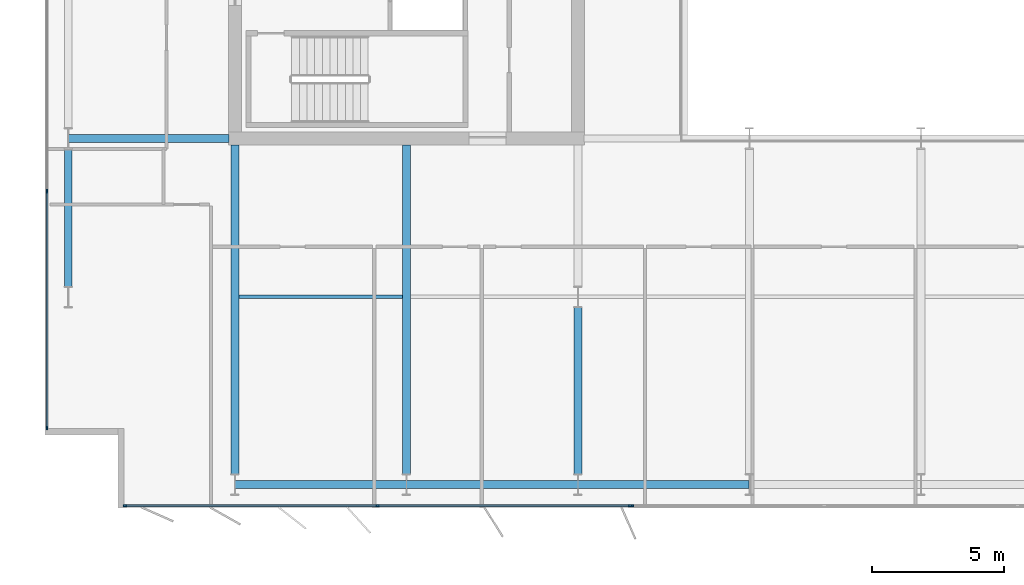
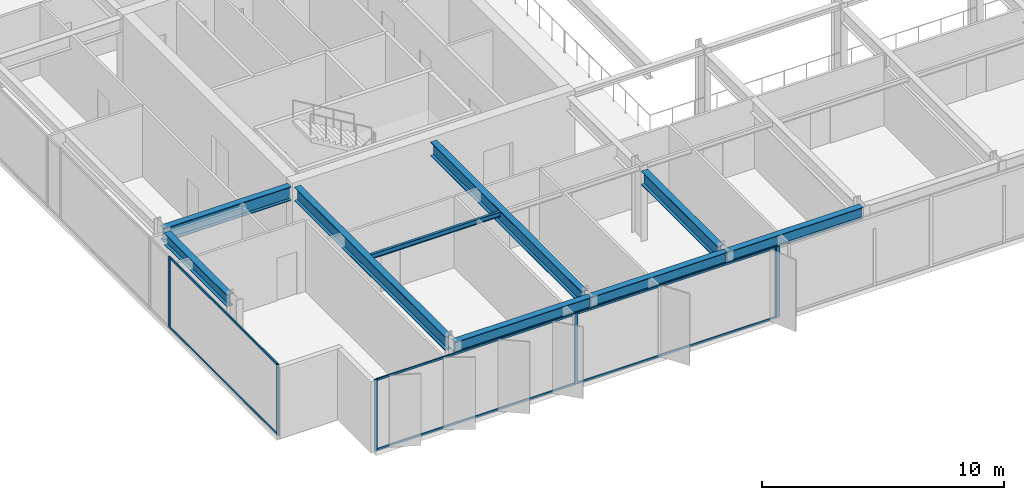
# One storey, part 3 of 23: 12 members, 9 beams, 3 elements without a shape of their own.
"""IFC4 building model written with IfcOpenShell, lengths in metres."""

from ifc_helpers import new_model, si_unit, direction, frame, origin, origin_2d, place, context, subcontext, project, spatial, rectangle, i_section, extrude, material, layer, layer_set, material_profile, profile_set, type_object, element, aggregate, save


model = new_model("IFC4")

# Units and contexts
model_context = context("Model", 3, precision=1e-05, world=origin(), true_north=direction((0.0, 1.0)))
body_context = subcontext(model_context, "Body", "Model", "MODEL_VIEW")
ifc_project = project(units=[si_unit("LENGTHUNIT", "METRE"), si_unit("AREAUNIT", "SQUARE_METRE"), si_unit("VOLUMEUNIT", "CUBIC_METRE"), si_unit("PLANEANGLEUNIT", "RADIAN"), si_unit("MASSUNIT", "GRAM", prefix="KILO")], contexts=[model_context])

# Site, building, storey
site_placement = place(None, origin())
site = spatial("IfcSite", under=ifc_project, at=site_placement, CompositionType="ELEMENT")
building_placement = place(site_placement, origin())
building = spatial("IfcBuilding", under=site, at=building_placement, Name="Putna Gate Headquarters", CompositionType="ELEMENT")
storey_placement = place(building_placement, frame((0.0, 0.0, 217.60009765625)))
storey = spatial("IfcBuildingStorey", under=building, at=storey_placement, Name="L54", CompositionType="ELEMENT", Elevation=217.60009765625)

# Beams
ifc_material_1 = material(Name="Steel S355J2", Category="steel")
ifc_material_profile_1 = material_profile(ifc_material_1, i_section(OverallWidth=0.300048828125, OverallDepth=0.699951171875, WebThickness=0.01708984375, FlangeThickness=0.031982421875, at=origin_2d()), Name="Steel S355J2")
ifc_profile_set_1 = profile_set([ifc_material_profile_1], Name="Steel S355J2")
beam_type_1 = type_object("IfcBeamType", Name="BM-GIRD-B-HEB700", PredefinedType="USERDEFINED", material=ifc_profile_set_1)
beam_1_placement = place(storey_placement, frame((6.68603515625, 19.0, 3.22998046875), z_axis=(1.0, 0.0, 0.0), x_axis=(0.0, 1.0, 0.0)))
element("IfcBeam", 1, at=beam_1_placement, inside=storey, type_object=beam_type_1, Name="L54 West Wing Girder Y19", ObjectType="GIRDER", PredefinedType="USERDEFINED", context=body_context, shape_type="SweptSolid", body=[
    extrude(i_section(OverallWidth=0.300048828125, OverallDepth=0.699951171875, WebThickness=0.01708984375, FlangeThickness=0.031982421875, at=origin_2d()), origin(), (0.0, 0.0, 1.0), 6.078857421875),
])
for number, where, z_axis, x_axis, name in (
    (2, (13.0, 6.27490234375, 3.22998046875), (0.0, 1.0, 0.0), (-1.0, 0.0, 0.0), "L54 South Primary Girder X13"),
    (3, (19.5, 6.27490234375, 3.22998046875), (0.0, 1.0, 0.0), (-1.0, 0.0, 0.0), "L54 South Primary Girder X19"),
):
    element("IfcBeam", number, at=place(storey_placement, frame(where, z_axis=z_axis, x_axis=x_axis)), inside=storey, type_object=beam_type_1, Name=name, ObjectType="GIRDER", PredefinedType="USERDEFINED", context=body_context, shape_type="SweptSolid", body=[
        extrude(i_section(OverallWidth=0.300048828125, OverallDepth=0.699951171875, WebThickness=0.01708984375, FlangeThickness=0.031982421875, at=origin_2d()), origin(), (0.0, 0.0, 1.0), 12.489990234375),
    ])
beam_2_placement = place(storey_placement, frame((26.0, 6.27490234375, 3.22998046875), z_axis=(0.0, 1.0, 0.0), x_axis=(-1.0, 0.0, 0.0)))
element("IfcBeam", 4, at=beam_2_placement, inside=storey, type_object=beam_type_1, Name="L54 South Primary Girder X26-1", ObjectType="GIRDER", PredefinedType="USERDEFINED", context=body_context, shape_type="SweptSolid", body=[
    extrude(i_section(OverallWidth=0.300048828125, OverallDepth=0.699951171875, WebThickness=0.01708984375, FlangeThickness=0.031982421875, at=origin_2d()), origin(), (0.0, 0.0, 1.0), 6.330078125),
])
ifc_material_profile_2 = material_profile(ifc_material_1, i_section(OverallWidth=0.1201171875, OverallDepth=0.239990234375, WebThickness=0.006103515625, FlangeThickness=0.009765625, at=origin_2d()), Name="Steel S355J2")
ifc_profile_set_2 = profile_set([ifc_material_profile_2], Name="Steel S355J2")
beam_type_2 = type_object("IfcBeamType", Name="BM-SEC-Z4-IPE240", PredefinedType="JOIST", material=ifc_profile_set_2)
beam_3_placement = place(storey_placement, frame((13.154052734375, 13.0, 3.4599609375), z_axis=(1.0, 0.0, 0.0), x_axis=(0.0, 1.0, 0.0)))
element("IfcBeam", 5, at=beam_3_placement, inside=storey, type_object=beam_type_2, Name="L54 South Secondary Beam 1", PredefinedType="JOIST", context=body_context, shape_type="SweptSolid", body=[
    extrude(i_section(OverallWidth=0.1201171875, OverallDepth=0.239990234375, WebThickness=0.006103515625, FlangeThickness=0.009765625, at=origin_2d()), origin(), (0.0, 0.0, 1.0), 6.19189453125),
])
ifc_material_profile_3 = material_profile(ifc_material_1, i_section(OverallWidth=0.300048828125, OverallDepth=0.590087890625, WebThickness=0.012939453125, FlangeThickness=0.02490234375, at=origin_2d()), Name="Steel S355J2")
ifc_profile_set_3 = profile_set([ifc_material_profile_3], Name="Steel S355J2")
beam_type_3 = type_object("IfcBeamType", Name="BM-SPAN-Z4-HEA600", PredefinedType="SPANDREL", material=ifc_profile_set_3)
for number, where, z_axis, x_axis, name in (
    (6, (13.006103515625, 5.8798828125, 3.284912109375), (1.0, 0.0, 0.0), (0.0, 1.0, 0.0), "L54 S Perimeter Spandrel 1"),
    (7, (19.506103515625, 5.8798828125, 3.284912109375), (1.0, 0.0, 0.0), (0.0, 1.0, 0.0), "L54 S Perimeter Spandrel 2"),
    (8, (26.006103515625, 5.8798828125, 3.284912109375), (1.0, 0.0, 0.0), (0.0, 1.0, 0.0), "L54 S Perimeter Spandrel 3"),
):
    element("IfcBeam", number, at=place(storey_placement, frame(where, z_axis=z_axis, x_axis=x_axis)), inside=storey, type_object=beam_type_3, Name=name, PredefinedType="SPANDREL", context=body_context, shape_type="SweptSolid", body=[
        extrude(i_section(OverallWidth=0.300048828125, OverallDepth=0.590087890625, WebThickness=0.012939453125, FlangeThickness=0.02490234375, at=origin_2d()), origin(), (0.0, 0.0, 1.0), 6.48779296875),
    ])
beam_4_placement = place(storey_placement, frame((6.679931640625, 13.39501953125, 3.284912109375), z_axis=(0.0, 1.0, 0.0), x_axis=(-1.0, 0.0, 0.0)))
element("IfcBeam", 9, at=beam_4_placement, inside=storey, type_object=beam_type_3, Name="L54 W End Spandrel 1", PredefinedType="SPANDREL", context=body_context, shape_type="SweptSolid", body=[
    extrude(i_section(OverallWidth=0.300048828125, OverallDepth=0.590087890625, WebThickness=0.012939453125, FlangeThickness=0.02490234375, at=origin_2d()), origin(), (0.0, 0.0, 1.0), 5.2099609375),
])

# Curtain wall, members
ifc_material_2 = material(Name="Anodised bronze aluminium curtain wall", Category="aluminium")
ifc_layer_1 = layer(ifc_material_2, 0.139892578125)
ifc_layer_set_1 = layer_set([ifc_layer_1], Name="Anodised bronze aluminium curtain wall")
curtain_wall_type_1 = type_object("IfcCurtainWallType", Name="CW-SYS-Z4", PredefinedType="USERDEFINED", material=ifc_layer_set_1)
curtain_wall_1_placement = place(storey_placement, origin())
curtain_wall_1 = element("IfcCurtainWall", 10, at=curtain_wall_1_placement, inside=storey, type_object=curtain_wall_type_1, Name="L54 South West Curtain Wall", ObjectType="STICK CURTAIN WALL", PredefinedType="USERDEFINED")
ifc_material_3 = material(Name="Anodised bronze aluminium EN AW-6060", Category="aluminium")
ifc_material_profile_4 = material_profile(ifc_material_3, rectangle(XDim=0.06005859375, YDim=0.139892578125, at=origin_2d()), Name="Anodised bronze aluminium EN AW-6060")
ifc_profile_set_4 = profile_set([ifc_material_profile_4], Name="Anodised bronze aluminium EN AW-6060")
member_type_1 = type_object("IfcMemberType", Name="MULL-CWM-4", PredefinedType="MULLION", material=ifc_profile_set_4)
member_1_placement = place(storey_placement, frame((8.830078125, 5.080078125, 0.0), z_axis=(0.0, 0.0, 1.0), x_axis=(0.0, 1.0, 0.0)))
member_1 = element("IfcMember", 11, at=member_1_placement, type_object=member_type_1, Name="CWS-4 mullion 1", PredefinedType="MULLION", context=body_context, shape_type="SweptSolid", body=[
    extrude(rectangle(XDim=0.06005859375, YDim=0.139892578125, at=origin_2d()), origin(), (0.0, 0.0, 1.0), 3.579833984375),
])
member_2_placement = place(storey_placement, frame((18.39990234375, 5.080078125, 0.0), z_axis=(0.0, 0.0, 1.0), x_axis=(0.0, 1.0, 0.0)))
member_2 = element("IfcMember", 12, at=member_2_placement, type_object=member_type_1, Name="CWS-4 mullion 2", PredefinedType="MULLION", context=body_context, shape_type="SweptSolid", body=[
    extrude(rectangle(XDim=0.06005859375, YDim=0.139892578125, at=origin_2d()), origin(), (0.0, 0.0, 1.0), 3.579833984375),
])
member_3_placement = place(storey_placement, frame((27.969970703125, 5.080078125, 0.0), z_axis=(0.0, 0.0, 1.0), x_axis=(0.0, 1.0, 0.0)))
member_3 = element("IfcMember", 13, at=member_3_placement, type_object=member_type_1, Name="CWS-4 mullion 3", PredefinedType="MULLION", context=body_context, shape_type="SweptSolid", body=[
    extrude(rectangle(XDim=0.06005859375, YDim=0.139892578125, at=origin_2d()), origin(), (0.0, 0.0, 1.0), 3.579833984375),
])

curtain_wall_2_placement = place(storey_placement, origin())
curtain_wall_2 = element("IfcCurtainWall", 14, at=curtain_wall_2_placement, inside=storey, type_object=curtain_wall_type_1, Name="L54 West Curtain Wall", ObjectType="STICK CURTAIN WALL", PredefinedType="USERDEFINED")
member_4_placement = place(storey_placement, frame((5.8798828125, 8.030029296875, 0.0), z_axis=(0.0, 0.0, 1.0), x_axis=(-1.0, 0.0, 0.0)))
member_4 = element("IfcMember", 15, at=member_4_placement, type_object=member_type_1, Name="CWS-4 mullion 1", PredefinedType="MULLION", context=body_context, shape_type="SweptSolid", body=[
    extrude(rectangle(XDim=0.06005859375, YDim=0.139892578125, at=origin_2d()), origin(), (0.0, 0.0, 1.0), 3.579833984375),
])
member_5_placement = place(storey_placement, frame((5.8798828125, 17.0, 0.0), z_axis=(0.0, 0.0, 1.0), x_axis=(-1.0, 0.0, 0.0)))
member_5 = element("IfcMember", 16, at=member_5_placement, type_object=member_type_1, Name="CWS-4 mullion 2", PredefinedType="MULLION", context=body_context, shape_type="SweptSolid", body=[
    extrude(rectangle(XDim=0.06005859375, YDim=0.139892578125, at=origin_2d()), origin(), (0.0, 0.0, 1.0), 3.579833984375),
])

# Curtain wall, member
ifc_layer_2 = layer(ifc_material_2, 0.179931640625)
ifc_layer_set_2 = layer_set([ifc_layer_2], Name="Anodised bronze aluminium curtain wall")
curtain_wall_type_2 = type_object("IfcCurtainWallType", Name="CW-SYS-ATR", PredefinedType="USERDEFINED", material=ifc_layer_set_2)
curtain_wall_3_placement = place(storey_placement, origin())
curtain_wall_3 = element("IfcCurtainWall", 17, at=curtain_wall_3_placement, inside=storey, type_object=curtain_wall_type_2, Name="L54 South Atrium Clear Glazing", ObjectType="ATRIUM GLAZING", PredefinedType="USERDEFINED")
ifc_material_profile_5 = material_profile(ifc_material_3, rectangle(XDim=0.070068359375, YDim=0.179931640625, at=origin_2d()), Name="Anodised bronze aluminium EN AW-6060")
ifc_profile_set_5 = profile_set([ifc_material_profile_5], Name="Anodised bronze aluminium EN AW-6060")
member_type_2 = type_object("IfcMemberType", Name="MULL-CWM-AT", PredefinedType="MULLION", material=ifc_profile_set_5)
member_6_placement = place(storey_placement, frame((28.034912109375, 5.080078125, 0.0), z_axis=(0.0, 0.0, 1.0), x_axis=(0.0, 1.0, 0.0)))
member_6 = element("IfcMember", 18, at=member_6_placement, type_object=member_type_2, Name="CWS-AT mullion 1", PredefinedType="MULLION", context=body_context, shape_type="SweptSolid", body=[
    extrude(rectangle(XDim=0.070068359375, YDim=0.179931640625, at=origin_2d()), origin(), (0.0, 0.0, 1.0), 3.579833984375),
])
aggregate(curtain_wall_3, [member_6])

# Member
ifc_material_profile_6 = material_profile(ifc_material_3, rectangle(XDim=0.06005859375, YDim=0.10009765625, at=origin_2d()), Name="Anodised bronze aluminium EN AW-6060")
ifc_profile_set_6 = profile_set([ifc_material_profile_6], Name="Anodised bronze aluminium EN AW-6060")
member_type_3 = type_object("IfcMemberType", Name="TRAN-CWT-4", PredefinedType="USERDEFINED", material=ifc_profile_set_6)
member_7_placement = place(storey_placement, frame((8.860107421875, 5.080078125, 0.02978515625), z_axis=(1.0, 0.0, 0.0), x_axis=(0.0, 1.0, 0.0)))
member_7 = element("IfcMember", 19, at=member_7_placement, type_object=member_type_3, Name="CWS-4 transom 1.1", ObjectType="TRANSOM", PredefinedType="USERDEFINED", context=body_context, shape_type="SweptSolid", body=[
    extrude(rectangle(XDim=0.06005859375, YDim=0.10009765625, at=origin_2d()), origin(), (0.0, 0.0, 1.0), 9.510009765625),
])

member_8_placement = place(storey_placement, frame((8.860107421875, 5.080078125, 3.5498046875), z_axis=(1.0, 0.0, 0.0), x_axis=(0.0, 1.0, 0.0)))
member_8 = element("IfcMember", 20, at=member_8_placement, type_object=member_type_3, Name="CWS-4 transom 1.2", ObjectType="TRANSOM", PredefinedType="USERDEFINED", context=body_context, shape_type="SweptSolid", body=[
    extrude(rectangle(XDim=0.06005859375, YDim=0.10009765625, at=origin_2d()), origin(), (0.0, 0.0, 1.0), 9.510009765625),
])

member_9_placement = place(storey_placement, frame((18.429931640625, 5.080078125, 0.02978515625), z_axis=(1.0, 0.0, 0.0), x_axis=(0.0, 1.0, 0.0)))
member_9 = element("IfcMember", 21, at=member_9_placement, type_object=member_type_3, Name="CWS-4 transom 2.1", ObjectType="TRANSOM", PredefinedType="USERDEFINED", context=body_context, shape_type="SweptSolid", body=[
    extrude(rectangle(XDim=0.06005859375, YDim=0.10009765625, at=origin_2d()), origin(), (0.0, 0.0, 1.0), 9.510009765625),
])

member_10_placement = place(storey_placement, frame((18.429931640625, 5.080078125, 3.5498046875), z_axis=(1.0, 0.0, 0.0), x_axis=(0.0, 1.0, 0.0)))
member_10 = element("IfcMember", 22, at=member_10_placement, type_object=member_type_3, Name="CWS-4 transom 2.2", ObjectType="TRANSOM", PredefinedType="USERDEFINED", context=body_context, shape_type="SweptSolid", body=[
    extrude(rectangle(XDim=0.06005859375, YDim=0.10009765625, at=origin_2d()), origin(), (0.0, 0.0, 1.0), 9.510009765625),
])

aggregate(curtain_wall_1, [member_1, member_2, member_3, member_7, member_8, member_9, member_10])

member_11_placement = place(storey_placement, frame((5.8798828125, 8.06005859375, 0.02978515625), z_axis=(0.0, 1.0, 0.0), x_axis=(-1.0, 0.0, 0.0)))
member_11 = element("IfcMember", 23, at=member_11_placement, type_object=member_type_3, Name="CWS-4 transom 1.1", ObjectType="TRANSOM", PredefinedType="USERDEFINED", context=body_context, shape_type="SweptSolid", body=[
    extrude(rectangle(XDim=0.06005859375, YDim=0.10009765625, at=origin_2d()), origin(), (0.0, 0.0, 1.0), 8.909912109375),
])

member_12_placement = place(storey_placement, frame((5.8798828125, 8.06005859375, 3.5498046875), z_axis=(0.0, 1.0, 0.0), x_axis=(-1.0, 0.0, 0.0)))
member_12 = element("IfcMember", 24, at=member_12_placement, type_object=member_type_3, Name="CWS-4 transom 1.2", ObjectType="TRANSOM", PredefinedType="USERDEFINED", context=body_context, shape_type="SweptSolid", body=[
    extrude(rectangle(XDim=0.06005859375, YDim=0.10009765625, at=origin_2d()), origin(), (0.0, 0.0, 1.0), 8.909912109375),
])

aggregate(curtain_wall_2, [member_4, member_5, member_11, member_12])

save(model, "model.ifc")
